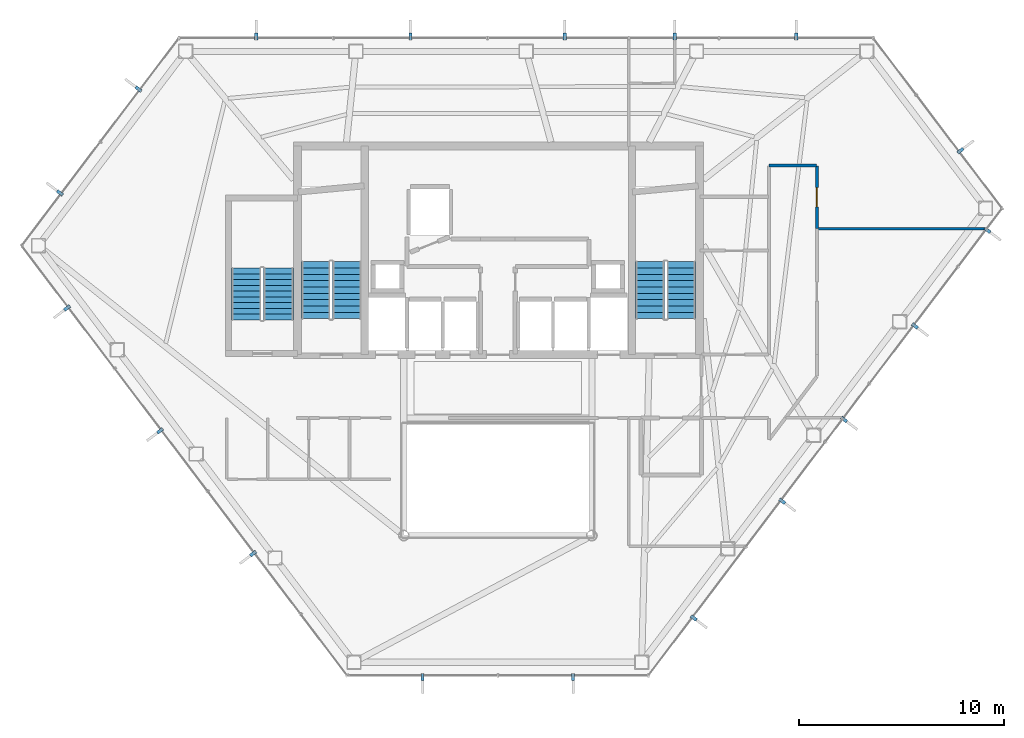
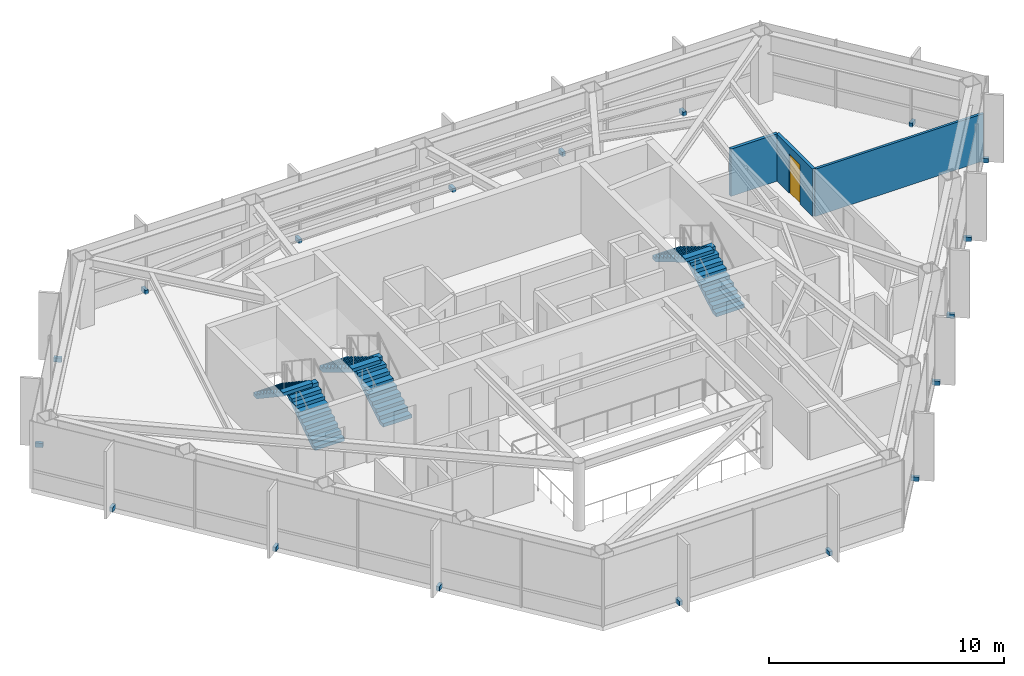
# One storey, part 26 of 27: 18 discrete accessories, 6 stair flights, 3 walls, 1 door, 1 opening, 3 elements without a shape of their own.
"""IFC4 building model written with IfcOpenShell, lengths in metres."""

from ifc_helpers import new_model, si_unit, direction, frame, frame_2d, origin, origin_2d, place, context, subcontext, project, spatial, polyline, rectangle, outline, extrude, material, layer, layer_set, type_object, element, fill, aggregate, save


model = new_model("IFC4")

# Units and contexts
model_context = context("Model", 3, precision=1e-05, world=origin(), true_north=direction((0.0, 1.0)))
body_context = subcontext(model_context, "Body", "Model", "MODEL_VIEW")
ifc_project = project(units=[si_unit("LENGTHUNIT", "METRE"), si_unit("AREAUNIT", "SQUARE_METRE"), si_unit("VOLUMEUNIT", "CUBIC_METRE"), si_unit("PLANEANGLEUNIT", "RADIAN"), si_unit("MASSUNIT", "GRAM", prefix="KILO")], contexts=[model_context])

# Site, building, storey
site_placement = place(None, origin())
site = spatial("IfcSite", under=ifc_project, at=site_placement, CompositionType="ELEMENT")
building_placement = place(site_placement, origin())
building = spatial("IfcBuilding", under=site, at=building_placement, Name="Zarrinselat Tower", CompositionType="ELEMENT")
storey_placement = place(building_placement, frame((0.0, 0.0, 179.52001953125)))
storey = spatial("IfcBuildingStorey", under=building, at=storey_placement, Name="L44", CompositionType="ELEMENT", Elevation=179.52001953125)

# Wall
ifc_material_1 = material(Name="Fire-Rated Gypsum Board Partition", Category="gypsum")
ifc_layer_1 = layer(ifc_material_1, 0.14990234375)
ifc_layer_set_1 = layer_set([ifc_layer_1], Name="Fire-Rated Gypsum Board Partition")
wall_type_1 = type_object("IfcWallType", Name="WAL-PART-EI60", PredefinedType="PARTITIONING", material=ifc_layer_set_1)
wall_1_placement = place(storey_placement, frame((51.669921875, 42.5, 0.0), z_axis=(0.0, 0.0, 1.0), x_axis=(1.0, 0.0, 0.0)))
element("IfcWall", 1, at=wall_1_placement, inside=storey, type_object=wall_type_1, Name="L44 Partition Wall 27", PredefinedType="PARTITIONING", context=body_context, shape_type="SweptSolid", body=[
    extrude(rectangle(XDim=2.31005859375, YDim=0.14990234375, at=frame_2d((1.155029296875, 0.0))), origin(), (0.0, 0.0, 1.0), 2.45703125),
])

# Wall, opening, door
wall_2_placement = place(storey_placement, frame((54.0, 39.4111328125, 0.0), z_axis=(0.0, 0.0, 1.0), x_axis=(0.0, 1.0, 0.0)))
wall_2 = element("IfcWall", 2, at=wall_2_placement, inside=storey, type_object=wall_type_1, Name="L44 Partition Wall 28", PredefinedType="PARTITIONING", context=body_context, shape_type="SweptSolid", body=[
    extrude(rectangle(XDim=3.06884765625, YDim=0.14990234375, at=frame_2d((1.534423828125, 0.0))), origin(), (0.0, 0.0, 1.0), 2.45703125),
])
opening_placement = place(wall_2_placement, frame((1.064453125, 0.0, 0.0)))
opening = element("IfcOpeningElement", 3, at=opening_placement, cuts=wall_2, Name="Opening ID-04", PredefinedType="OPENING", context=body_context, shape_type="SweptSolid", body=[
    extrude(rectangle(XDim=0.93994140625, YDim=2.050048828125, at=frame_2d((0.469970703125, 1.02490234375))), frame((0.0, 0.0849609375, 0.0), z_axis=(0.0, -1.0, 0.0), x_axis=(1.0, 0.0, 0.0)), (0.0, 0.0, 1.0), 0.169921875),
])
ifc_material_2 = material(Name="Fire-Rated Gypsum Board Partition")
door_type = type_object("IfcDoorType", Name="DR-INT-FD30-ENT", OperationType="NOTDEFINED", PredefinedType="DOOR", material=ifc_material_2)
door_placement = place(opening_placement, origin())
door = element("IfcDoor", 4, at=door_placement, inside=storey, type_object=door_type, Name="L44 Interior Door P28", OperationType="SINGLE_SWING_LEFT", OverallHeight=2.050048828125, OverallWidth=0.93994140625, PredefinedType="DOOR", context=body_context, shape_type="SweptSolid", body=[
    extrude(rectangle(XDim=0.93994140625, YDim=2.050048828125, at=frame_2d((0.469970703125, 1.02490234375))), frame((0.0, 0.02490234375, 0.0), z_axis=(0.0, -1.0, 0.0), x_axis=(1.0, 0.0, 0.0)), (0.0, 0.0, 1.0), 0.050048828125),
])
fill(opening, door)

# Wall
ifc_material_3 = material(Name="Fire-Rated Gypsum Board Partition", Category="gypsum")
ifc_layer_2 = layer(ifc_material_3, 0.1201171875)
ifc_layer_set_2 = layer_set([ifc_layer_2], Name="Fire-Rated Gypsum Board Partition")
wall_type_2 = type_object("IfcWallType", Name="WAL-PART-STD", PredefinedType="PARTITIONING", material=ifc_layer_set_2)
wall_3_placement = place(storey_placement, frame((54.02001953125, 39.406005859375, 0.0), z_axis=(0.0, 0.0, 1.0), x_axis=(1.0, 0.0, 0.0)))
element("IfcWall", 5, at=wall_3_placement, inside=storey, type_object=wall_type_2, Name="L44 Partition Wall 43", PredefinedType="PARTITIONING", context=body_context, shape_type="SweptSolid", body=[
    extrude(rectangle(XDim=8.277099609375, YDim=0.1201171875, at=frame_2d((4.138671875, 0.0))), origin(), (0.0, 0.0, 1.0), 2.45703125),
])

# Stair, stair flights
ifc_material_4 = material(Name="Concrete C40/50", Category="concrete")
stair_type_1 = type_object("IfcStairType", Name="STR-CORE-145", PredefinedType="HALF_TURN_STAIR", material=ifc_material_4)
stair_1_placement = place(storey_placement, origin())
stair_1 = element("IfcStair", 6, at=stair_1_placement, inside=storey, type_object=stair_type_1, Name="L44 Podium & Mid-Tower Exit Stair 3", PredefinedType="HALF_TURN_STAIR")
ifc_material_5 = material(Name="Concrete C40/50", Category="concrete")
stair_flight_type_1 = type_object("IfcStairFlightType", Name="STR-FLT-145", PredefinedType="STRAIGHT", material=ifc_material_5)
stair_flight_1_placement = place(storey_placement, frame((27.675048828125, 34.949951171875, 0.0), z_axis=(0.0, 0.0, 1.0), x_axis=(0.0, 1.0, 0.0)))
stair_flight_1 = element("IfcStairFlight", 7, at=stair_flight_1_placement, type_object=stair_flight_type_1, Name="ST-3 flight 1", NumberOfRisers=10, NumberOfTreads=9, PredefinedType="STRAIGHT", RiserHeight=0.187, TreadLength=0.28, context=body_context, shape_type="SweptSolid", body=[
    extrude(outline(polyline([(0.0, 0.0), (0.0, 0.18701171875), (0.280029296875, 0.18701171875), (0.280029296875, 0.3740234375), (0.56005859375, 0.3740234375), (0.56005859375, 0.56103515625), (0.840087890625, 0.56103515625), (0.840087890625, 0.748046875), (1.1201171875, 0.748046875), (1.1201171875, 0.93505859375), (1.39990234375, 0.93505859375), (1.39990234375, 1.1220703125), (1.679931640625, 1.1220703125), (1.679931640625, 1.30908203125), (1.9599609375, 1.30908203125), (1.9599609375, 1.49609375), (2.239990234375, 1.49609375), (2.239990234375, 1.68310546875), (2.52001953125, 1.68310546875), (2.52001953125, 1.8701171875), (2.52001953125, 1.502685546875), (0.27001953125, 0.0), (0.0, 0.0)])), frame((0.0, 0.72509765625, 0.0), z_axis=(0.0, -1.0, 0.0), x_axis=(1.0, 0.0, 0.0)), (0.0, 0.0, 1.0), 1.449951171875),
])
stair_flight_2_placement = place(storey_placement, frame((26.10498046875, 37.469970703125, 1.869873046875), z_axis=(0.0, 0.0, 1.0), x_axis=(0.0, -1.0, 0.0)))
stair_flight_2 = element("IfcStairFlight", 8, at=stair_flight_2_placement, type_object=stair_flight_type_1, Name="ST-3 flight 2", NumberOfRisers=10, NumberOfTreads=9, PredefinedType="STRAIGHT", RiserHeight=0.187, TreadLength=0.28, context=body_context, shape_type="SweptSolid", body=[
    extrude(outline(polyline([(0.0, 0.0), (0.0, 0.18701171875), (0.280029296875, 0.18701171875), (0.280029296875, 0.3740234375), (0.56005859375, 0.3740234375), (0.56005859375, 0.56103515625), (0.840087890625, 0.56103515625), (0.840087890625, 0.748046875), (1.1201171875, 0.748046875), (1.1201171875, 0.93505859375), (1.39990234375, 0.93505859375), (1.39990234375, 1.1220703125), (1.679931640625, 1.1220703125), (1.679931640625, 1.30908203125), (1.9599609375, 1.30908203125), (1.9599609375, 1.49609375), (2.239990234375, 1.49609375), (2.239990234375, 1.68310546875), (2.52001953125, 1.68310546875), (2.52001953125, 1.8701171875), (2.52001953125, 1.502685546875), (0.27001953125, 0.0), (0.0, 0.0)])), frame((0.0, 0.72509765625, 0.0), z_axis=(0.0, -1.0, 0.0), x_axis=(1.0, 0.0, 0.0)), (0.0, 0.0, 1.0), 1.449951171875),
])
aggregate(stair_1, [stair_flight_1, stair_flight_2])

ifc_material_6 = material(Name="Concrete C40/50", Category="concrete")
stair_type_2 = type_object("IfcStairType", Name="STR-CORE-155", PredefinedType="HALF_TURN_STAIR", material=ifc_material_6)
stair_2_placement = place(storey_placement, origin())
stair_2 = element("IfcStair", 9, at=stair_2_placement, inside=storey, type_object=stair_type_2, Name="L44 Core Exit Stair 1", PredefinedType="HALF_TURN_STAIR")
ifc_material_7 = material(Name="Concrete C40/50", Category="concrete")
stair_flight_type_2 = type_object("IfcStairFlightType", Name="STR-FLT-155", PredefinedType="STRAIGHT", material=ifc_material_7)
stair_flight_3_placement = place(storey_placement, frame((31.02001953125, 35.0, 0.0), z_axis=(0.0, 0.0, 1.0), x_axis=(0.0, 1.0, 0.0)))
stair_flight_3 = element("IfcStairFlight", 10, at=stair_flight_3_placement, type_object=stair_flight_type_2, Name="ST-1 flight 1", NumberOfRisers=10, NumberOfTreads=9, PredefinedType="STRAIGHT", RiserHeight=0.187, TreadLength=0.31, context=body_context, shape_type="SweptSolid", body=[
    extrude(outline(polyline([(0.0, 0.0), (0.0, 0.18701171875), (0.31005859375, 0.18701171875), (0.31005859375, 0.3740234375), (0.6201171875, 0.3740234375), (0.6201171875, 0.56103515625), (0.929931640625, 0.56103515625), (0.929931640625, 0.748046875), (1.239990234375, 0.748046875), (1.239990234375, 0.93505859375), (1.550048828125, 0.93505859375), (1.550048828125, 1.1220703125), (1.860107421875, 1.1220703125), (1.860107421875, 1.30908203125), (2.169921875, 1.30908203125), (2.169921875, 1.49609375), (2.47998046875, 1.49609375), (2.47998046875, 1.68310546875), (2.7900390625, 1.68310546875), (2.7900390625, 1.8701171875), (2.7900390625, 1.508056640625), (0.290283203125, 0.0), (0.0, 0.0)])), frame((0.0, 0.699951171875, 0.0), z_axis=(0.0, -1.0, 0.0), x_axis=(1.0, 0.0, 0.0)), (0.0, 0.0, 1.0), 1.39990234375),
])
stair_flight_4_placement = place(storey_placement, frame((29.5, 37.7900390625, 1.869873046875), z_axis=(0.0, 0.0, 1.0), x_axis=(0.0, -1.0, 0.0)))
stair_flight_4 = element("IfcStairFlight", 11, at=stair_flight_4_placement, type_object=stair_flight_type_2, Name="ST-1 flight 2", NumberOfRisers=10, NumberOfTreads=9, PredefinedType="STRAIGHT", RiserHeight=0.187, TreadLength=0.31, context=body_context, shape_type="SweptSolid", body=[
    extrude(outline(polyline([(0.0, 0.0), (0.0, 0.18701171875), (0.31005859375, 0.18701171875), (0.31005859375, 0.3740234375), (0.6201171875, 0.3740234375), (0.6201171875, 0.56103515625), (0.929931640625, 0.56103515625), (0.929931640625, 0.748046875), (1.239990234375, 0.748046875), (1.239990234375, 0.93505859375), (1.550048828125, 0.93505859375), (1.550048828125, 1.1220703125), (1.860107421875, 1.1220703125), (1.860107421875, 1.30908203125), (2.169921875, 1.30908203125), (2.169921875, 1.49609375), (2.47998046875, 1.49609375), (2.47998046875, 1.68310546875), (2.7900390625, 1.68310546875), (2.7900390625, 1.8701171875), (2.7900390625, 1.508056640625), (0.290283203125, 0.0), (0.0, 0.0)])), frame((0.0, 0.699951171875, 0.0), z_axis=(0.0, -1.0, 0.0), x_axis=(1.0, 0.0, 0.0)), (0.0, 0.0, 1.0), 1.39990234375),
])
aggregate(stair_2, [stair_flight_3, stair_flight_4])

stair_3_placement = place(storey_placement, origin())
stair_3 = element("IfcStair", 12, at=stair_3_placement, inside=storey, type_object=stair_type_2, Name="L44 Core Exit Stair 2", PredefinedType="HALF_TURN_STAIR")
stair_flight_5_placement = place(storey_placement, frame((47.360107421875, 35.0, 0.0), z_axis=(0.0, 0.0, 1.0), x_axis=(0.0, 1.0, 0.0)))
stair_flight_5 = element("IfcStairFlight", 13, at=stair_flight_5_placement, type_object=stair_flight_type_2, Name="ST-2 flight 1", NumberOfRisers=10, NumberOfTreads=9, PredefinedType="STRAIGHT", RiserHeight=0.187, TreadLength=0.31, context=body_context, shape_type="SweptSolid", body=[
    extrude(outline(polyline([(0.0, 0.0), (0.0, 0.18701171875), (0.31005859375, 0.18701171875), (0.31005859375, 0.3740234375), (0.6201171875, 0.3740234375), (0.6201171875, 0.56103515625), (0.929931640625, 0.56103515625), (0.929931640625, 0.748046875), (1.239990234375, 0.748046875), (1.239990234375, 0.93505859375), (1.550048828125, 0.93505859375), (1.550048828125, 1.1220703125), (1.860107421875, 1.1220703125), (1.860107421875, 1.30908203125), (2.169921875, 1.30908203125), (2.169921875, 1.49609375), (2.47998046875, 1.49609375), (2.47998046875, 1.68310546875), (2.7900390625, 1.68310546875), (2.7900390625, 1.8701171875), (2.7900390625, 1.508056640625), (0.290283203125, 0.0), (0.0, 0.0)])), frame((0.0, 0.699951171875, 0.0), z_axis=(0.0, -1.0, 0.0), x_axis=(1.0, 0.0, 0.0)), (0.0, 0.0, 1.0), 1.39990234375),
])
stair_flight_6_placement = place(storey_placement, frame((45.840087890625, 37.7900390625, 1.869873046875), z_axis=(0.0, 0.0, 1.0), x_axis=(0.0, -1.0, 0.0)))
stair_flight_6 = element("IfcStairFlight", 14, at=stair_flight_6_placement, type_object=stair_flight_type_2, Name="ST-2 flight 2", NumberOfRisers=10, NumberOfTreads=9, PredefinedType="STRAIGHT", RiserHeight=0.187, TreadLength=0.31, context=body_context, shape_type="SweptSolid", body=[
    extrude(outline(polyline([(0.0, 0.0), (0.0, 0.18701171875), (0.31005859375, 0.18701171875), (0.31005859375, 0.3740234375), (0.6201171875, 0.3740234375), (0.6201171875, 0.56103515625), (0.929931640625, 0.56103515625), (0.929931640625, 0.748046875), (1.239990234375, 0.748046875), (1.239990234375, 0.93505859375), (1.550048828125, 0.93505859375), (1.550048828125, 1.1220703125), (1.860107421875, 1.1220703125), (1.860107421875, 1.30908203125), (2.169921875, 1.30908203125), (2.169921875, 1.49609375), (2.47998046875, 1.49609375), (2.47998046875, 1.68310546875), (2.7900390625, 1.68310546875), (2.7900390625, 1.8701171875), (2.7900390625, 1.508056640625), (0.290283203125, 0.0), (0.0, 0.0)])), frame((0.0, 0.699951171875, 0.0), z_axis=(0.0, -1.0, 0.0), x_axis=(1.0, 0.0, 0.0)), (0.0, 0.0, 1.0), 1.39990234375),
])
aggregate(stair_3, [stair_flight_5, stair_flight_6])

# Discrete accessories
ifc_material_8 = material(Name="Steel S355J2", Category="steel")
discrete_accessory_type = type_object("IfcDiscreteAccessoryType", Name="ACC-FIN-BRACKET", PredefinedType="BRACKET", material=ifc_material_8)
for number, where, z_axis, x_axis, name in (
    (15, (52.98681640625, 48.792236328125, -0.0498046875), (0.0, 0.0, 1.0), (0.0, 1.0, 0.0), "L44 Fin Fixing Bracket CW-L44-E01-01"),
    (16, (47.050048828125, 48.792236328125, -0.0498046875), (0.0, 0.0, 1.0), (0.0, 1.0, 0.0), "L44 Fin Fixing Bracket CW-L44-E01-03"),
    (17, (41.67041015625, 48.792236328125, -0.0498046875), (0.0, 0.0, 1.0), (0.0, 1.0, 0.0), "L44 Fin Fixing Bracket CW-L44-E01-05"),
    (18, (34.126220703125, 48.792236328125, -0.0498046875), (0.0, 0.0, 1.0), (0.0, 1.0, 0.0), "L44 Fin Fixing Bracket CW-L44-E01-07"),
    (19, (26.58203125, 48.792236328125, -0.0498046875), (0.0, 0.0, 1.0), (0.0, 1.0, 0.0), "L44 Fin Fixing Bracket CW-L44-E01-09"),
    (20, (20.831787109375, 46.226806640625, -0.0498046875), (0.0, 0.0, 1.0), (-0.797091117314, 0.603859048702, 0.0), "L44 Fin Fixing Bracket CW-L44-E02-01"),
    (21, (16.98681640625, 41.151611328125, -0.0498046875), (0.0, 0.0, 1.0), (-0.797091117314, 0.603859048702, 0.0), "L44 Fin Fixing Bracket CW-L44-E02-03"),
    (22, (17.3388671875, 35.527099609375, -0.0498046875), (0.0, 0.0, 1.0), (-0.797092424748, -0.603857322892, 0.0), "L44 Fin Fixing Bracket CW-L44-E03-01"),
    (23, (21.8876953125, 29.5224609375, -0.0498046875), (0.0, 0.0, 1.0), (-0.797092424748, -0.603857322892, 0.0), "L44 Fin Fixing Bracket CW-L44-E03-03"),
    (24, (26.436767578125, 23.517578125, -0.0498046875), (0.0, 0.0, 1.0), (-0.797092424748, -0.603857322892, 0.0), "L44 Fin Fixing Bracket CW-L44-E03-05"),
    (25, (34.720703125, 17.4853515625, -0.0498046875), (0.0, 0.0, 1.0), (0.0, -1.0, 0.0), "L44 Fin Fixing Bracket CW-L44-E04-01"),
    (26, (42.0791015625, 17.4853515625, -0.0498046875), (0.0, 0.0, 1.0), (0.0, -1.0, 0.0), "L44 Fin Fixing Bracket CW-L44-E04-03"),
    (27, (47.977294921875, 20.368408203125, -0.0498046875), (0.0, 0.0, 1.0), (0.797091028478, -0.603859165965, 0.0), "L44 Fin Fixing Bracket CW-L44-E05-01"),
    (28, (52.303955078125, 26.079345703125, -0.0498046875), (0.0, 0.0, 1.0), (0.797091028478, -0.603859165965, 0.0), "L44 Fin Fixing Bracket CW-L44-E05-03"),
    (29, (55.328125, 30.071533203125, -0.0498046875), (0.0, 0.0, 1.0), (0.797091028478, -0.603859165965, 0.0), "L44 Fin Fixing Bracket CW-L44-E05-05"),
    (30, (58.793701171875, 34.645751953125, -0.0498046875), (0.0, 0.0, 1.0), (0.797091028478, -0.603859165965, 0.0), "L44 Fin Fixing Bracket CW-L44-E05-07"),
    (31, (62.34033203125, 39.32763671875, -0.0498046875), (0.0, 0.0, 1.0), (0.797091028478, -0.603859165965, 0.0), "L44 Fin Fixing Bracket CW-L44-E05-09"),
    (32, (61.018310546875, 43.2158203125, -0.0498046875), (0.0, 0.0, 1.0), (0.797090052893, 0.603860453729, 0.0), "L44 Fin Fixing Bracket CW-L44-E06-01"),
):
    element("IfcDiscreteAccessory", number, at=place(storey_placement, frame(where, z_axis=z_axis, x_axis=x_axis)), inside=storey, type_object=discrete_accessory_type, Name=name, PredefinedType="BRACKET", context=body_context, shape_type="SweptSolid", body=[
        extrude(rectangle(XDim=0.340087890625, YDim=0.159912109375, at=origin_2d()), origin(), (0.0, 0.0, 1.0), 0.219970703125),
    ])

save(model, "model.ifc")
